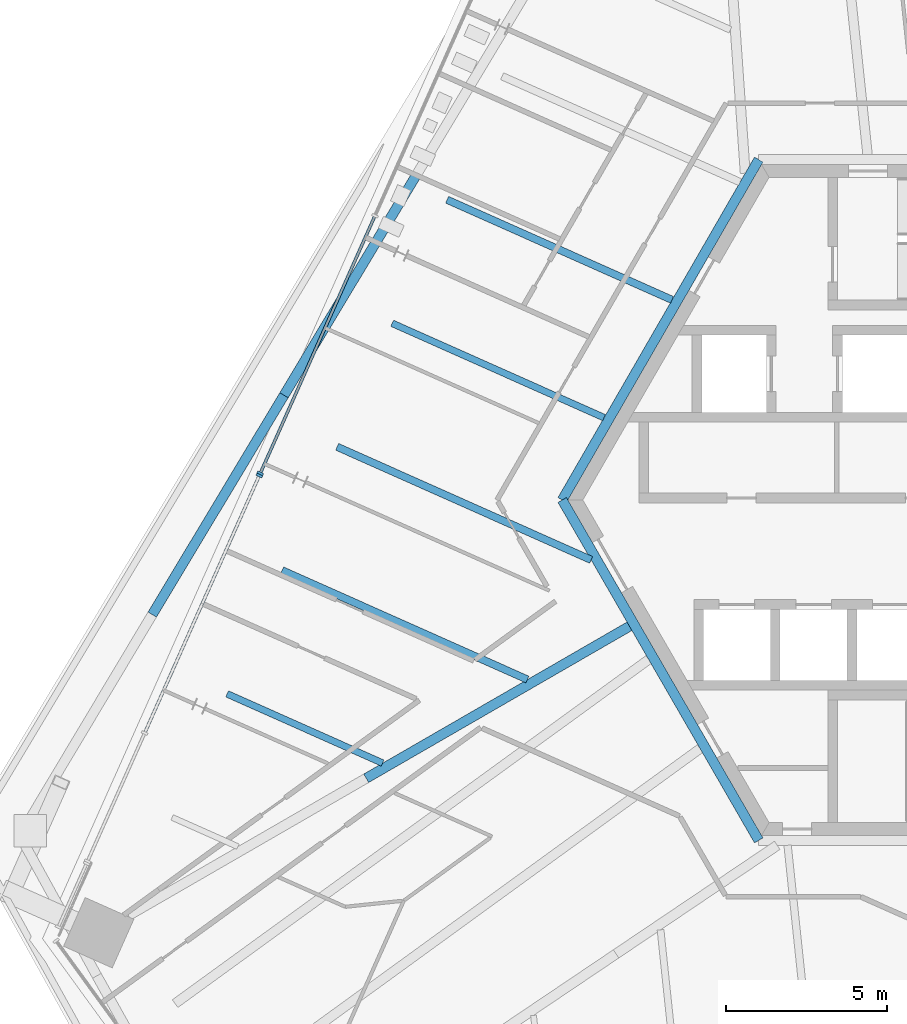
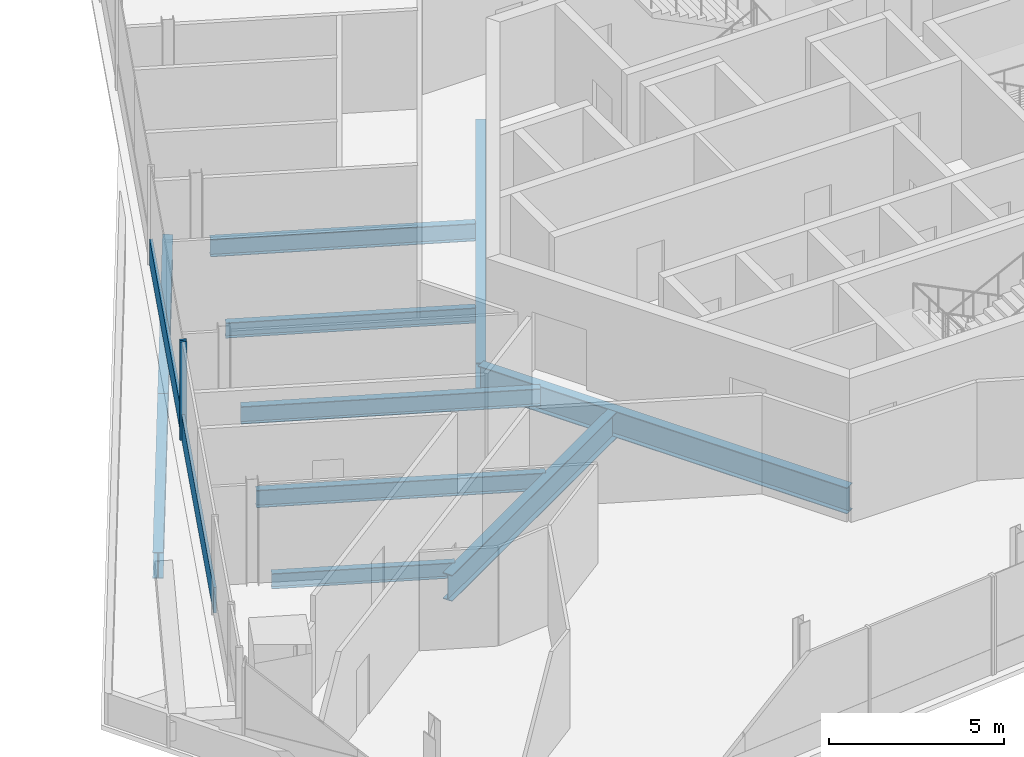
# One storey, part 5 of 21: 10 beams, 4 members, 2 elements without a shape of their own.
"""IFC4 building model written with IfcOpenShell, lengths in metres."""

from ifc_helpers import new_model, si_unit, direction, frame, origin, origin_2d, place, context, subcontext, project, spatial, rectangle, i_section, extrude, source, transform, mapped, material, material_profile, profile_set, type_object, element, aggregate, save


model = new_model("IFC4")

# Units and contexts
model_context = context("Model", 3, precision=1e-05, world=origin(), true_north=direction((0.0, 1.0)))
body_context = subcontext(model_context, "Body", "Model", "MODEL_VIEW")
ifc_project = project(units=[si_unit("LENGTHUNIT", "METRE"), si_unit("AREAUNIT", "SQUARE_METRE"), si_unit("VOLUMEUNIT", "CUBIC_METRE"), si_unit("PLANEANGLEUNIT", "RADIAN"), si_unit("MASSUNIT", "GRAM", prefix="KILO")], contexts=[model_context])

# Site, building, storey
site_placement = place(None, origin())
site = spatial("IfcSite", under=ifc_project, at=site_placement, CompositionType="ELEMENT")
building_placement = place(site_placement, origin())
building = spatial("IfcBuilding", under=site, at=building_placement, Name="Triune Harvest Tower", CompositionType="ELEMENT")
storey_placement = place(building_placement, frame((0.0, 0.0, 219.699951171875)))
storey = spatial("IfcBuildingStorey", under=building, at=storey_placement, Name="L57", CompositionType="ELEMENT", Elevation=219.699951171875)

# Beams
ifc_material_1 = material(Name="Steel ASTM A992 Gr 50", Category="steel")
ifc_material_profile_1 = material_profile(ifc_material_1, i_section(OverallWidth=0.22900390625, OverallDepth=0.612060546875, WebThickness=0.011962890625, FlangeThickness=0.01953125, at=origin_2d()), Name="W24x84")
ifc_profile_set_1 = profile_set([ifc_material_profile_1], Name="Steel ASTM A992 Gr 50")
beam_type_1 = type_object("IfcBeamType", Name="JT-3 Floor joist W24x84", PredefinedType="JOIST", material=ifc_profile_set_1)
beam_1_placement = place(storey_placement, frame((-15.740966796875, 9.30078125, -0.466064453125), z_axis=(0.913555289811, -0.406714558947, 0.0), x_axis=(0.406714558947, 0.913555289811, 0.0)))
element("IfcBeam", 1, at=beam_1_placement, inside=storey, type_object=beam_type_1, Name="beam/L57/JT17", PredefinedType="JOIST", context=body_context, shape_type="SweptSolid", body=[
    extrude(i_section(OverallWidth=0.22900390625, OverallDepth=0.612060546875, WebThickness=0.011962890625, FlangeThickness=0.01953125, at=origin_2d()), origin(), (0.0, 0.0, 1.0), 7.627197265625),
])
ifc_material_2 = material(Name="Steel ASTM A992 Gr 50", Category="steel")
ifc_material_profile_2 = material_profile(ifc_material_2, i_section(OverallWidth=0.3046875, OverallDepth=0.914306640625, WebThickness=0.0166015625, FlangeThickness=0.02587890625, at=origin_2d()), Name="W36x160")
ifc_profile_set_2 = profile_set([ifc_material_profile_2], Name="Steel ASTM A992 Gr 50")
beam_type_2 = type_object("IfcBeamType", Name="CG-1 Core ring girder W36x160", PredefinedType="BEAM", material=ifc_profile_set_2)
shared_shape_1 = source(origin(), body_context, "Body", "SweptSolid", [
    extrude(i_section(OverallWidth=0.3046875, OverallDepth=0.914306640625, WebThickness=0.0166015625, FlangeThickness=0.02587890625, at=origin_2d()), origin(), (0.0, 0.0, 1.0), 12.176025390625),
])
for number, where, z_axis, x_axis, name in (
    (2, (-6.087890625, 10.544677734375, -0.6171875), (-0.5000099932, -0.866019634131, 0.0), (0.866019634131, -0.5000099932, 0.0), "beam/L57/CG3"),
    (3, (-12.176025390625, 0.0, -0.6171875), (0.5000099932, -0.866019634131, 0.0), (0.866019634131, 0.5000099932, 0.0), "beam/L57/CG4"),
):
    element("IfcBeam", number, at=place(storey_placement, frame(where, z_axis=z_axis, x_axis=x_axis)), inside=storey, type_object=beam_type_2, Name=name, PredefinedType="BEAM", context=body_context, shape_type="MappedRepresentation", body=[
        mapped(shared_shape_1, transform((0.0, 0.0, 0.0), scale=1.0)),
    ])
ifc_material_3 = material(Name="Steel ASTM A992 Gr 50", Category="steel")
ifc_material_profile_3 = material_profile(ifc_material_3, i_section(OverallWidth=0.3046875, OverallDepth=0.914306640625, WebThickness=0.0166015625, FlangeThickness=0.02587890625, at=origin_2d()), Name="W36x160")
ifc_profile_set_3 = profile_set([ifc_material_profile_3], Name="Steel ASTM A992 Gr 50")
beam_type_3 = type_object("IfcBeamType", Name="SB-1 Spandrel beam W36x160", PredefinedType="SPANDREL", material=ifc_profile_set_3)
shared_shape_2 = source(origin(), body_context, "Body", "SweptSolid", [
    extrude(i_section(OverallWidth=0.3046875, OverallDepth=0.914306640625, WebThickness=0.0166015625, FlangeThickness=0.02587890625, at=origin_2d()), origin(), (0.0, 0.0, 1.0), 7.92724609375),
])
for number, where, z_axis, x_axis, name in (
    (4, (-16.71044921875, 10.04052734375, -0.6171875), (-0.515034618449, -0.857169377544, 0.0), (0.857169377544, -0.515034618449, 0.0), "beam/L57/WB10"),
    (5, (-20.793212890625, 3.24560546875, -0.6171875), (-0.515057246398, -0.857155781018, 0.0), (0.857155781018, -0.515057246398, 0.0), "beam/L57/WB11"),
):
    element("IfcBeam", number, at=place(storey_placement, frame(where, z_axis=z_axis, x_axis=x_axis)), inside=storey, type_object=beam_type_3, Name=name, PredefinedType="SPANDREL", context=body_context, shape_type="MappedRepresentation", body=[
        mapped(shared_shape_2, transform((0.0, 0.0, 0.0), scale=1.0)),
    ])
ifc_material_4 = material(Name="Steel ASTM A992 Gr 50", Category="steel")
ifc_material_profile_4 = material_profile(ifc_material_4, i_section(OverallWidth=0.3046875, OverallDepth=0.914306640625, WebThickness=0.0166015625, FlangeThickness=0.02587890625, at=origin_2d()), Name="W36x160")
ifc_profile_set_4 = profile_set([ifc_material_profile_4], Name="Steel ASTM A992 Gr 50")
beam_type_4 = type_object("IfcBeamType", Name="HG-3 Hip girder W36x160", PredefinedType="BEAM", material=ifc_profile_set_4)
shared_shape_3 = source(origin(), body_context, "Body", "SweptSolid", [
    extrude(i_section(OverallWidth=0.3046875, OverallDepth=0.914306640625, WebThickness=0.0166015625, FlangeThickness=0.02587890625, at=origin_2d()), origin(), (0.0, 0.0, 1.0), 9.416259765625),
])
beam_2_placement = place(storey_placement, frame((-18.247802734375, -8.62060546875, -0.6171875), z_axis=(0.866032742664, 0.499987288472, 0.0), x_axis=(-0.499987288472, 0.866032742664, 0.0)))
element("IfcBeam", 6, at=beam_2_placement, inside=storey, type_object=beam_type_4, Name="beam/L57/HG6", PredefinedType="BEAM", context=body_context, shape_type="MappedRepresentation", body=[
    mapped(shared_shape_3, transform((0.0, 0.0, 0.0), scale=1.0)),
])
ifc_material_5 = material(Name="Steel ASTM A992 Gr 50", Category="steel")
ifc_material_profile_5 = material_profile(ifc_material_5, i_section(OverallWidth=0.2099609375, OverallDepth=0.535888671875, WebThickness=0.010986328125, FlangeThickness=0.017333984375, at=origin_2d()), Name="W21x68")
ifc_profile_set_5 = profile_set([ifc_material_profile_5], Name="Steel ASTM A992 Gr 50")
beam_type_5 = type_object("IfcBeamType", Name="JT-2 Floor joist W21x68", PredefinedType="JOIST", material=ifc_profile_set_5)
shared_shape_4 = source(origin(), body_context, "Body", "SweptSolid", [
    extrude(i_section(OverallWidth=0.2099609375, OverallDepth=0.535888671875, WebThickness=0.010986328125, FlangeThickness=0.017333984375, at=origin_2d()), origin(), (0.0, 0.0, 1.0), 7.186767578125),
])
beam_3_placement = place(storey_placement, frame((-17.444580078125, 5.47412109375, -0.427978515625), z_axis=(0.913546591221, -0.406734097006, 0.0), x_axis=(0.406734097006, 0.913546591221, 0.0)))
element("IfcBeam", 7, at=beam_3_placement, inside=storey, type_object=beam_type_5, Name="beam/L57/JT18", PredefinedType="JOIST", context=body_context, shape_type="MappedRepresentation", body=[
    mapped(shared_shape_4, transform((0.0, 0.0, 0.0), scale=1.0)),
])
shared_shape_5 = source(origin(), body_context, "Body", "SweptSolid", [
    extrude(i_section(OverallWidth=0.22900390625, OverallDepth=0.612060546875, WebThickness=0.011962890625, FlangeThickness=0.01953125, at=origin_2d()), origin(), (0.0, 0.0, 1.0), 8.612060546875),
])
beam_4_placement = place(storey_placement, frame((-19.148193359375, 1.647705078125, -0.466064453125), z_axis=(0.913540131592, -0.406748605371, 0.0), x_axis=(0.406748605371, 0.913540131592, 0.0)))
element("IfcBeam", 8, at=beam_4_placement, inside=storey, type_object=beam_type_1, Name="beam/L57/JT19", PredefinedType="JOIST", context=body_context, shape_type="MappedRepresentation", body=[
    mapped(shared_shape_5, transform((0.0, 0.0, 0.0), scale=1.0)),
])
shared_shape_6 = source(origin(), body_context, "Body", "SweptSolid", [
    extrude(i_section(OverallWidth=0.22900390625, OverallDepth=0.612060546875, WebThickness=0.011962890625, FlangeThickness=0.01953125, at=origin_2d()), origin(), (0.0, 0.0, 1.0), 8.316650390625),
])
beam_5_placement = place(storey_placement, frame((-20.85205078125, -2.17919921875, -0.466064453125), z_axis=(0.913551093465, -0.406723984575, 0.0), x_axis=(0.406723984575, 0.913551093465, 0.0)))
element("IfcBeam", 9, at=beam_5_placement, inside=storey, type_object=beam_type_1, Name="beam/L57/JT20", PredefinedType="JOIST", context=body_context, shape_type="MappedRepresentation", body=[
    mapped(shared_shape_6, transform((0.0, 0.0, 0.0), scale=1.0)),
])
shared_shape_7 = source(origin(), body_context, "Body", "SweptSolid", [
    extrude(i_section(OverallWidth=0.2099609375, OverallDepth=0.535888671875, WebThickness=0.010986328125, FlangeThickness=0.017333984375, at=origin_2d()), origin(), (0.0, 0.0, 1.0), 5.273193359375),
])
beam_6_placement = place(storey_placement, frame((-22.555908203125, -6.005615234375, -0.427978515625), z_axis=(0.91354979995, -0.406726889953, 0.0), x_axis=(0.406726889953, 0.91354979995, 0.0)))
element("IfcBeam", 10, at=beam_6_placement, inside=storey, type_object=beam_type_5, Name="beam/L57/JT21", PredefinedType="JOIST", context=body_context, shape_type="MappedRepresentation", body=[
    mapped(shared_shape_7, transform((0.0, 0.0, 0.0), scale=1.0)),
])

# Curtain wall, member
ifc_material_6 = material(Name="Aluminium bronze anodised", Category="aluminium")
curtain_wall_type_1 = type_object("IfcCurtainWallType", Name="CW-1 Tower stick curtain wall", PredefinedType="NOTDEFINED", material=ifc_material_6)
curtain_wall_1_placement = place(storey_placement, origin())
curtain_wall_1 = element("IfcCurtainWall", 11, at=curtain_wall_1_placement, inside=storey, type_object=curtain_wall_type_1, Name="CW-1 B6-F3 L57 run 1101")
ifc_material_7 = material(Name="Aluminium bronze anodised", Category="aluminium")
ifc_material_profile_6 = material_profile(ifc_material_7, rectangle(XDim=0.199951171875, YDim=0.074951171875, at=origin_2d()), Name="MU-1 mullion 75 x 200")
ifc_profile_set_6 = profile_set([ifc_material_profile_6], Name="Aluminium bronze anodised")
member_type_1 = type_object("IfcMemberType", Name="MU-1 mullion 75 x 200", PredefinedType="MULLION", material=ifc_profile_set_6)
shared_shape_8 = source(origin(), body_context, "Body", "SweptSolid", [
    extrude(rectangle(XDim=0.199951171875, YDim=0.074951171875, at=origin_2d()), origin(), (0.0, 0.0, 1.0), 3.43994140625),
])
member_1_placement = place(storey_placement, frame((-21.5283203125, 0.8271484375, 0.0), z_axis=(0.0, 0.0, 1.0), x_axis=(0.913546833715, -0.406733552352, 0.0)))
member_1 = element("IfcMember", 12, at=member_1_placement, type_object=member_type_1, Name="CW-1 mullion B6-F3 1101.5", PredefinedType="MULLION", context=body_context, shape_type="MappedRepresentation", body=[
    mapped(shared_shape_8, transform((0.0, 0.0, 0.0), scale=1.0)),
])

ifc_material_8 = material(Name="Aluminium bronze anodised", Category="aluminium")
curtain_wall_type_2 = type_object("IfcCurtainWallType", Name="CW-7 Tower stick curtain wall with insulated spandrel infill", PredefinedType="NOTDEFINED", material=ifc_material_8)
curtain_wall_2_placement = place(storey_placement, origin())
curtain_wall_2 = element("IfcCurtainWall", 13, at=curtain_wall_2_placement, inside=storey, type_object=curtain_wall_type_2, Name="CW-7 B6-F3 L57 run 2101")
member_2_placement = place(storey_placement, frame((-21.558837890625, 0.758544921875, 0.0), z_axis=(0.0, 0.0, 1.0), x_axis=(0.913543931473, -0.406740070891, 0.0)))
member_2 = element("IfcMember", 14, at=member_2_placement, type_object=member_type_1, Name="CW-7 mullion B6-F3 2101.1", PredefinedType="MULLION", context=body_context, shape_type="MappedRepresentation", body=[
    mapped(shared_shape_8, transform((0.0, 0.0, 0.0), scale=1.0)),
])

# Member
ifc_material_9 = material(Name="Aluminium bronze anodised", Category="aluminium")
ifc_material_profile_7 = material_profile(ifc_material_9, rectangle(XDim=0.090087890625, YDim=0.89990234375, at=origin_2d()), Name="TR-1 transom 90 x 900")
ifc_profile_set_7 = profile_set([ifc_material_profile_7], Name="Aluminium bronze anodised")
member_type_2 = type_object("IfcMemberType", Name="TR-1 transom 90 x 900", PredefinedType="USERDEFINED", material=ifc_profile_set_7)
shared_shape_9 = source(origin(), body_context, "Body", "SweptSolid", [
    extrude(rectangle(XDim=0.090087890625, YDim=0.89990234375, at=origin_2d()), origin(), (0.0, 0.0, 1.0), 8.656494140625),
])
member_3_placement = place(storey_placement, frame((-17.9921875, 8.76953125, 0.449951171875), z_axis=(-0.406716693349, -0.913554339572, 0.0), x_axis=(0.913554339572, -0.406716693349, 0.0)))
member_3 = element("IfcMember", 15, at=member_3_placement, type_object=member_type_2, Name="CW-1 transom B6-F3 1101.2", ObjectType="TRANSOM", PredefinedType="USERDEFINED", context=body_context, shape_type="MappedRepresentation", body=[
    mapped(shared_shape_9, transform((0.0, 0.0, 0.0), scale=1.0)),
])

aggregate(curtain_wall_1, [member_1, member_3])

shared_shape_10 = source(origin(), body_context, "Body", "SweptSolid", [
    extrude(rectangle(XDim=0.090087890625, YDim=0.89990234375, at=origin_2d()), origin(), (0.0, 0.0, 1.0), 8.65673828125),
])
member_4_placement = place(storey_placement, frame((-21.573974609375, 0.724365234375, 0.449951171875), z_axis=(-0.406740230718, -0.913543860313, 0.0), x_axis=(0.913543860313, -0.406740230718, 0.0)))
member_4 = element("IfcMember", 16, at=member_4_placement, type_object=member_type_2, Name="CW-7 transom B6-F3 2101.1", ObjectType="TRANSOM", PredefinedType="USERDEFINED", context=body_context, shape_type="MappedRepresentation", body=[
    mapped(shared_shape_10, transform((0.0, 0.0, 0.0), scale=1.0)),
])

aggregate(curtain_wall_2, [member_2, member_4])

save(model, "model.ifc")
